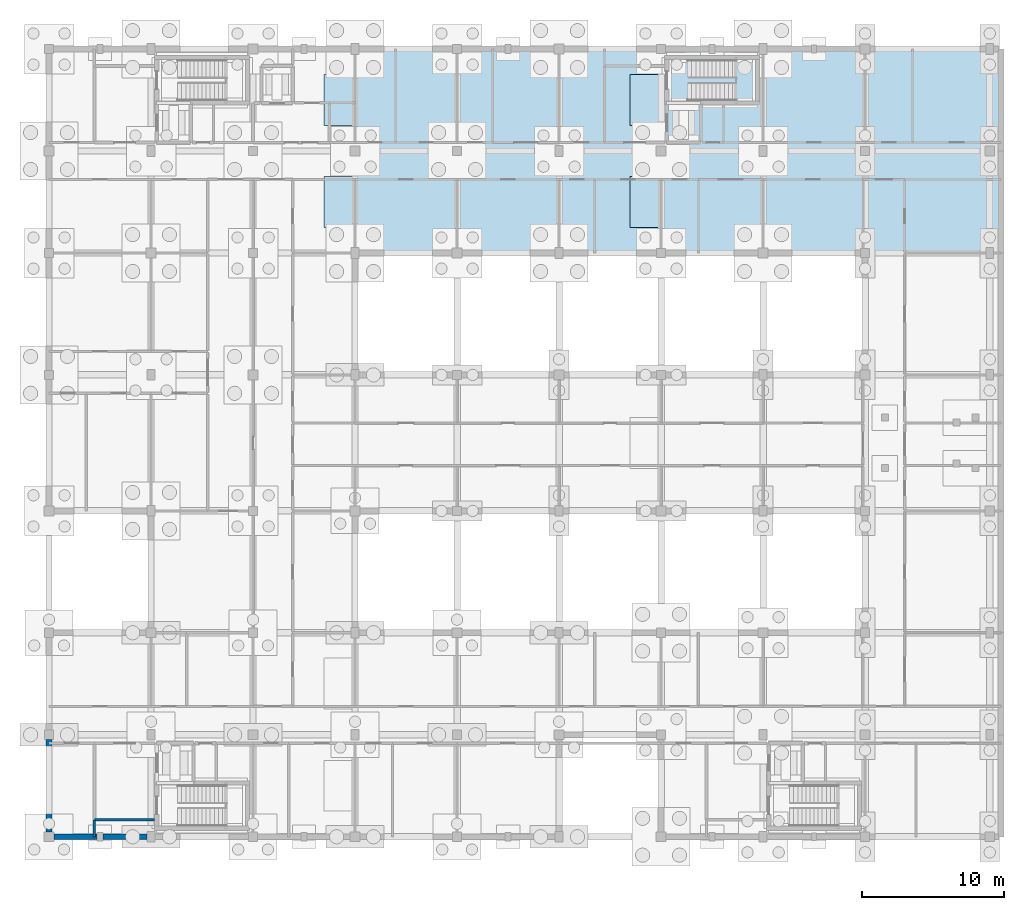
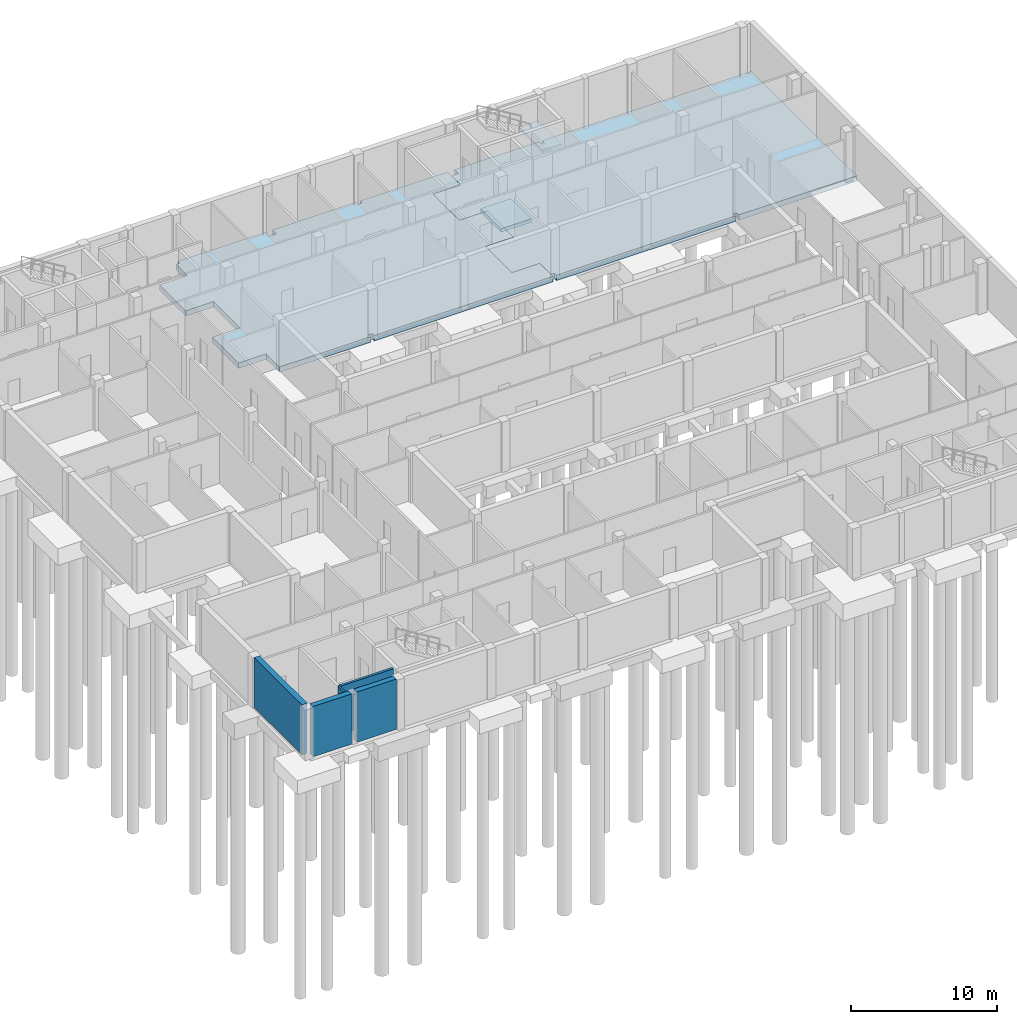
# One storey, part 6 of 17: 5 walls, 4 slabs, 1 element without a shape of its own.
"""IFC4 building model written with IfcOpenShell, lengths in metres."""

from ifc_helpers import new_model, si_unit, direction, frame, frame_2d, origin, place, context, subcontext, project, spatial, polyline, rectangle, outline, extrude, material, layer, layer_set, type_object, element, aggregate, save


model = new_model("IFC4")

# Units and contexts
model_context = context("Model", 3, precision=1e-05, world=origin(), true_north=direction((0.0, 1.0)))
body_context = subcontext(model_context, "Body", "Model", "MODEL_VIEW")
ifc_project = project(units=[si_unit("LENGTHUNIT", "METRE"), si_unit("AREAUNIT", "SQUARE_METRE"), si_unit("VOLUMEUNIT", "CUBIC_METRE"), si_unit("PLANEANGLEUNIT", "RADIAN"), si_unit("MASSUNIT", "GRAM", prefix="KILO")], contexts=[model_context])

# Site, building, storey
site_placement = place(None, origin())
site = spatial("IfcSite", under=ifc_project, at=site_placement, CompositionType="ELEMENT")
building_placement = place(site_placement, origin())
building = spatial("IfcBuilding", under=site, at=building_placement, Name="Hawrajan Terrace Health Centre", CompositionType="ELEMENT")
storey_placement = place(building_placement, frame((0.0, 0.0, -4.5)))
storey = spatial("IfcBuildingStorey", under=building, at=storey_placement, Name="B1", CompositionType="ELEMENT", Elevation=-4.5)

# Slabs
ifc_material_1 = material(Name="Concrete C40/50", Category="concrete")
ifc_layer_1 = layer(ifc_material_1, 0.449951171875)
ifc_layer_set_1 = layer_set([ifc_layer_1], Name="Concrete C40/50")
slab_type_1 = type_object("IfcSlabType", Name="BaseSlab_RC450", PredefinedType="BASESLAB", material=ifc_layer_set_1)
slab_1_placement = place(storey_placement, frame((0.0, 0.0, -0.449951171875)))
element("IfcSlab", 1, at=slab_1_placement, inside=storey, type_object=slab_type_1, Name="Structural slab SL-B1-W-V2-Z1-1", PredefinedType="BASESLAB", context=body_context, shape_type="SweptSolid", body=[
    extrude(outline(polyline([(26.47998046875, 59.52001953125), (26.47998046875, 59.800048828125), (33.39990234375, 59.800048828125), (33.39990234375, 59.25), (33.949951171875, 59.25), (33.949951171875, 59.800048828125), (40.60009765625, 59.800048828125), (40.60009765625, 59.52001953125), (40.8798828125, 59.52001953125), (40.8798828125, 59.800048828125), (47.800048828125, 59.800048828125), (47.800048828125, 59.25), (47.800048828125, 58.0), (45.60009765625, 58.0), (45.60009765625, 54.39990234375), (47.800048828125, 54.39990234375), (47.800048828125, 52.60009765625), (47.800048828125, 50.800048828125), (45.60009765625, 50.800048828125), (45.60009765625, 47.199951171875), (47.800048828125, 47.199951171875), (47.800048828125, 45.679931640625), (47.800048828125, 45.39990234375), (40.60009765625, 45.39990234375), (33.679931640625, 45.39990234375), (33.679931640625, 45.679931640625), (33.39990234375, 45.679931640625), (33.39990234375, 45.39990234375), (26.201904296875, 45.39990234375), (26.201904296875, 47.201904296875), (24.001953125, 47.201904296875), (24.001953125, 50.798095703125), (26.201904296875, 50.798095703125), (26.201904296875, 54.402099609375), (24.001953125, 54.402099609375), (24.001953125, 57.998046875), (26.201904296875, 57.998046875), (26.201904296875, 59.52001953125), (26.47998046875, 59.52001953125)])), origin(), (0.0, 0.0, 1.0), 0.449951171875),
])
slab_2_placement = place(storey_placement, frame((0.0, 0.0, -0.449951171875)))
element("IfcSlab", 2, at=slab_2_placement, inside=storey, type_object=slab_type_1, Name="Structural slab SL-B1-W-V2-Z2-1", PredefinedType="BASESLAB", context=body_context, shape_type="SweptSolid", body=[
    extrude(outline(polyline([(48.35009765625, 59.25), (48.35009765625, 59.800048828125), (55.0, 59.800048828125), (55.0, 59.52001953125), (55.280029296875, 59.52001953125), (55.280029296875, 59.800048828125), (62.199951171875, 59.800048828125), (71.794921875, 59.800048828125), (71.794921875, 52.60009765625), (71.794921875, 45.39990234375), (62.47998046875, 45.39990234375), (62.47998046875, 45.679931640625), (62.199951171875, 45.679931640625), (62.199951171875, 45.39990234375), (55.0, 45.39990234375), (48.080078125, 45.39990234375), (48.080078125, 45.679931640625), (47.802001953125, 45.679931640625), (47.802001953125, 47.201904296875), (45.60205078125, 47.201904296875), (45.60205078125, 50.798095703125), (47.802001953125, 50.798095703125), (47.802001953125, 54.402099609375), (45.60205078125, 54.402099609375), (45.60205078125, 57.998046875), (47.802001953125, 57.998046875), (47.802001953125, 59.25), (48.35009765625, 59.25)])), origin(), (0.0, 0.0, 1.0), 0.449951171875),
])
ifc_layer_2 = layer(ifc_material_1, 0.300048828125)
ifc_layer_set_2 = layer_set([ifc_layer_2], Name="Concrete C40/50")
slab_type_2 = type_object("IfcSlabType", Name="LiftPitSlab_RC300", PredefinedType="BASESLAB", material=ifc_layer_set_2)
slab_3_placement = place(storey_placement, frame((0.0, 0.0, -1.199951171875)))
element("IfcSlab", 3, at=slab_3_placement, inside=storey, type_object=slab_type_2, Name="Lift pit slab LC-03", PredefinedType="BASESLAB", context=body_context, shape_type="SweptSolid", body=[
    extrude(outline(polyline([(48.199951171875, 53.199951171875), (50.60009765625, 53.199951171875), (50.60009765625, 56.0), (48.199951171875, 56.0), (48.199951171875, 53.199951171875)])), origin(), (0.0, 0.0, 1.0), 0.300048828125),
])

# Stair, slab
stair_type = type_object("IfcStairType", Name="Stair_4500_W1300", PredefinedType="HALF_TURN_STAIR", material=ifc_material_1)
stair_placement = place(storey_placement, origin())
stair = element("IfcStair", 4, at=stair_placement, inside=storey, type_object=stair_type, Name="Stair ST-2-B1", PredefinedType="HALF_TURN_STAIR")
ifc_layer_3 = layer(ifc_material_1, 0.219970703125)
ifc_layer_set_3 = layer_set([ifc_layer_3], Name="Concrete C40/50")
slab_type_3 = type_object("IfcSlabType", Name="StairLanding_RC220", PredefinedType="LANDING", material=ifc_layer_set_3)
slab_4_placement = place(storey_placement, frame((0.0, 0.0, 2.030029296875)))
slab_4 = element("IfcSlab", 5, at=slab_4_placement, type_object=slab_type_3, Name="Stair half landing ST-2-B1-L1", PredefinedType="LANDING", context=body_context, shape_type="SweptSolid", body=[
    extrude(outline(polyline([(53.10009765625, 56.0), (54.60009765625, 56.0), (54.60009765625, 59.199951171875), (53.10009765625, 59.199951171875), (53.10009765625, 56.0)])), origin(), (0.0, 0.0, 1.0), 0.219970703125),
])
aggregate(stair, [slab_4])

# Walls
ifc_material_2 = material(Name="Gypsum board on acoustic stud framing")
ifc_layer_4 = layer(ifc_material_2, 0.159912109375)
ifc_layer_set_4 = layer_set([ifc_layer_4], Name="Gypsum board on acoustic stud framing")
wall_type_1 = type_object("IfcWallType", Name="CorridorFireWall_160", PredefinedType="PARTITIONING", material=ifc_layer_set_4)
wall_1_placement = place(storey_placement, frame((7.800048828125, 4.199951171875, 0.0), z_axis=(0.0, 0.0, 1.0), x_axis=(0.0, 1.0, 0.0)))
element("IfcWall", 6, at=wall_1_placement, inside=storey, type_object=wall_type_1, Name="Interior wall IW-B1-0196", PredefinedType="PARTITIONING", context=body_context, shape_type="SweptSolid", body=[
    extrude(rectangle(XDim=1.199951171875, YDim=0.159912109375, at=frame_2d((0.60009765625, 0.0))), origin(), (0.0, 0.0, 1.0), 4.080078125),
])
ifc_material_3 = material(Name="Cross-laminated timber CLT C24", Category="wood")
ifc_layer_5 = layer(ifc_material_3, 0.199951171875)
ifc_layer_set_5 = layer_set([ifc_layer_5], Name="Cross-laminated timber CLT C24")
wall_type_2 = type_object("IfcWallType", Name="FireCompartmentWall_200", PredefinedType="PARTITIONING", material=ifc_layer_set_5)
wall_2_placement = place(storey_placement, frame((7.800048828125, 5.39990234375, 0.0), z_axis=(0.0, 0.0, 1.0), x_axis=(1.0, 0.0, 0.0)))
element("IfcWall", 7, at=wall_2_placement, inside=storey, type_object=wall_type_2, Name="Interior wall IW-B1-0177", PredefinedType="PARTITIONING", context=body_context, shape_type="SweptSolid", body=[
    extrude(rectangle(XDim=4.260009765625, YDim=0.199951171875, at=frame_2d((2.1298828125, 0.0))), origin(), (0.0, 0.0, 1.0), 4.080078125),
])
ifc_layer_6 = layer(ifc_material_1, 0.419921875)
ifc_layer_set_6 = layer_set([ifc_layer_6], Name="Concrete C40/50")
wall_type_3 = type_object("IfcWallType", Name="RetainingWall_RC420", PredefinedType="USERDEFINED", material=ifc_layer_set_6)
wall_3_placement = place(storey_placement, frame((4.949951171875, 4.199951171875, 0.0), z_axis=(0.0, 0.0, 1.0), x_axis=(1.0, 0.0, 0.0)))
element("IfcWall", 8, at=wall_3_placement, inside=storey, type_object=wall_type_3, Name="Exterior wall EW-B1-H00-00-1", ObjectType="RETAINING WALL", PredefinedType="USERDEFINED", context=body_context, shape_type="SweptSolid", body=[
    extrude(rectangle(XDim=3.050048828125, YDim=0.419921875, at=frame_2d((1.52490234375, 0.0))), origin(), (0.0, 0.0, 1.0), 4.199951171875),
])
wall_4_placement = place(storey_placement, frame((8.39990234375, 4.199951171875, 0.0), z_axis=(0.0, 0.0, 1.0), x_axis=(1.0, 0.0, 0.0)))
element("IfcWall", 9, at=wall_4_placement, inside=storey, type_object=wall_type_3, Name="Exterior wall EW-B1-H00-00-2", ObjectType="RETAINING WALL", PredefinedType="USERDEFINED", context=body_context, shape_type="SweptSolid", body=[
    extrude(rectangle(XDim=3.125, YDim=0.419921875, at=frame_2d((1.5625, 0.0))), origin(), (0.0, 0.0, 1.0), 4.199951171875),
])
wall_5_placement = place(storey_placement, frame((4.60009765625, 4.550048828125, 0.0), z_axis=(0.0, 0.0, 1.0), x_axis=(0.0, 1.0, 0.0)))
element("IfcWall", 10, at=wall_5_placement, inside=storey, type_object=wall_type_3, Name="Exterior wall EW-B1-V00-00-1", ObjectType="RETAINING WALL", PredefinedType="USERDEFINED", context=body_context, shape_type="SweptSolid", body=[
    extrude(rectangle(XDim=6.52490234375, YDim=0.419921875, at=frame_2d((3.262451171875, 0.0))), origin(), (0.0, 0.0, 1.0), 4.199951171875),
])

save(model, "model.ifc")
